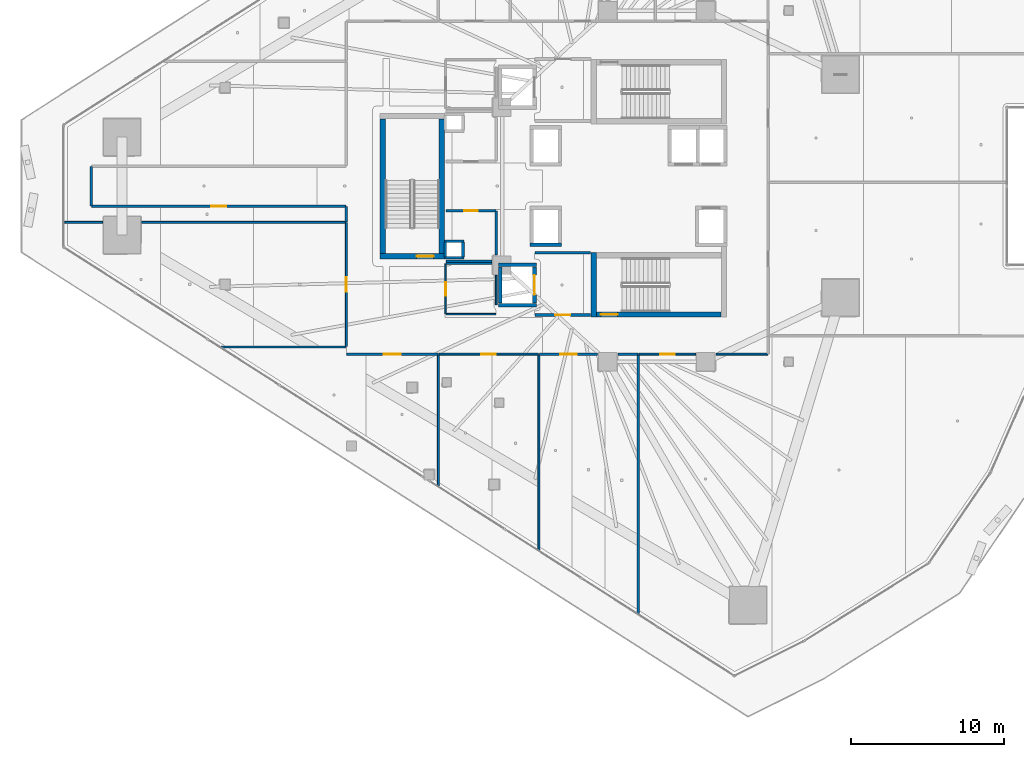
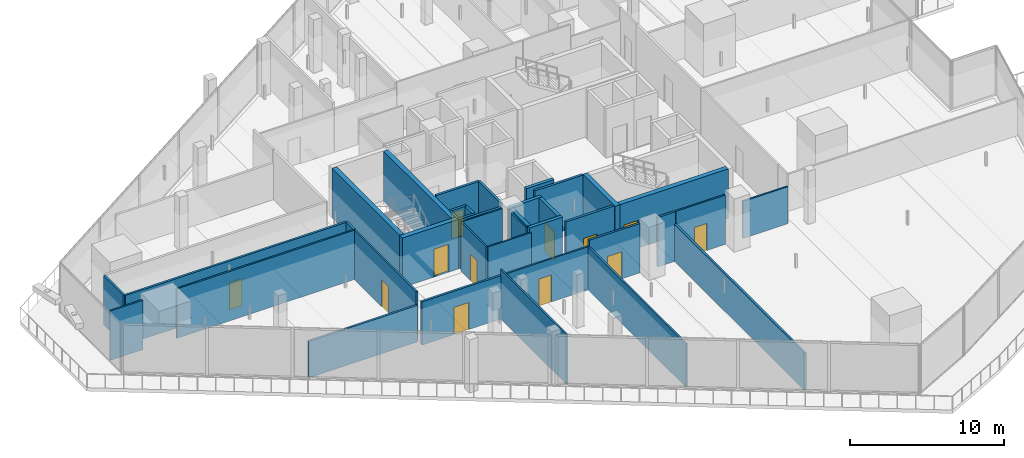
# One storey, part 31 of 47: 39 walls, 12 doors, 12 openings.
"""IFC4 building model written with IfcOpenShell, lengths in metres."""

import ifcopenshell
import ifcopenshell.guid

model = None  # the IFC model being written
_history = None  # IfcOwnerHistory: only IFC2X3 demands one
_inside = {}  # id of a spatial element -> (the spatial element, [elements in it])
_under = {}  # id of a project, library or spatial element -> (it, [spatial elements below it])
_declared = {}  # id of a project -> (the project, [libraries it declares])
_typed = {}  # id of a type object -> (the type object, [elements of that type])
_made_of = {}  # id of a material, layer set ... -> (it, [elements and type objects made of it])


def new_model(schema):
    """Start an empty IFC model of exactly this schema.

    Asked for "IFC4X3", IfcOpenShell would pick the latest addendum, in which some entities
    have other attributes; the version numbers below select the first issue.
    IFC2X3 requires an IfcOwnerHistory on every rooted entity: one is made here for all.
    """
    global model, _history
    if schema == "IFC4X3":
        model = ifcopenshell.file(schema_version=(4, 3, 0, 0))
    else:
        model = ifcopenshell.file(schema=schema)
    _inside.clear()
    _under.clear()
    _declared.clear()
    _typed.clear()
    _made_of.clear()
    _history = None
    if model.schema == "IFC2X3":
        org = make("IfcOrganization", Name="unknown")
        user = make(
            "IfcPersonAndOrganization",
            ThePerson=make("IfcPerson", FamilyName="unknown"),
            TheOrganization=org,
        )
        app = make(
            "IfcApplication",
            ApplicationDeveloper=org,
            Version="unknown",
            ApplicationFullName="unknown",
            ApplicationIdentifier="unknown",
        )
        _history = make(
            "IfcOwnerHistory",
            OwningUser=user,
            OwningApplication=app,
            ChangeAction="ADDED",
            CreationDate=0,
        )
    return model


def make(cls, **values):
    """One entity of the class cls with the attributes given. An attribute that is None is left unset."""
    return model.create_entity(
        cls, **{name: value for name, value in values.items() if value is not None}
    )


def rooted(cls, **values):
    """An entity with a GlobalId (a new one), such as an element, a storey or a relation."""
    return make(cls, GlobalId=ifcopenshell.guid.new(), OwnerHistory=_history, **values)


def si_unit(unit_type, name, prefix=None):
    """IfcSIUnit, for example si_unit("LENGTHUNIT", "METRE", prefix="MILLI")."""
    return make("IfcSIUnit", UnitType=unit_type, Prefix=prefix, Name=name)


def assignment(units):
    """IfcUnitAssignment: the units of a project."""
    return None if units is None else make("IfcUnitAssignment", Units=units)


def point(xyz):
    """IfcCartesianPoint."""
    return None if xyz is None else make("IfcCartesianPoint", Coordinates=xyz)


def direction(xyz):
    """IfcDirection."""
    return None if xyz is None else make("IfcDirection", DirectionRatios=xyz)


def frame(location, z_axis=None, x_axis=None):
    """IfcAxis2Placement3D, a coordinate frame: its origin and axes. An axis left out is left unset."""
    return make(
        "IfcAxis2Placement3D",
        Location=point(location),
        Axis=direction(z_axis),
        RefDirection=direction(x_axis),
    )


def frame_2d(location, x_axis=None):
    """IfcAxis2Placement2D, a coordinate frame in the plane: its origin and x axis."""
    return make(
        "IfcAxis2Placement2D", Location=point(location), RefDirection=direction(x_axis)
    )


def origin():
    """The frame at (0, 0, 0) with its axes left unset."""
    return frame((0.0, 0.0, 0.0))


def place(relative_to, where):
    """IfcLocalPlacement: puts the frame where relative to a parent placement (None: the world)."""
    return make(
        "IfcLocalPlacement", PlacementRelTo=relative_to, RelativePlacement=where
    )


def context(
    kind, dimensions, precision=None, world=None, true_north=None, identifier=None
):
    """IfcGeometricRepresentationContext, for example the 3D "Model" context."""
    return make(
        "IfcGeometricRepresentationContext",
        ContextIdentifier=identifier,
        ContextType=kind,
        CoordinateSpaceDimension=dimensions,
        Precision=precision,
        WorldCoordinateSystem=world,
        TrueNorth=true_north,
    )


def subcontext(parent, identifier, kind, view, scale=None):
    """IfcGeometricRepresentationSubContext, for example "Body" below "Model"."""
    return make(
        "IfcGeometricRepresentationSubContext",
        ContextIdentifier=identifier,
        ContextType=kind,
        ParentContext=parent,
        TargetScale=scale,
        TargetView=view,
    )


def project(units=None, contexts=None):
    """IfcProject with its units and contexts."""
    return rooted(
        "IfcProject",
        Name="project",
        RepresentationContexts=contexts,
        UnitsInContext=assignment(units),
    )


def spatial(cls, under=None, at=None, **own):
    """A site, building, storey or space (cls), placed at a placement, below another one or the project."""
    s = rooted(cls, ObjectPlacement=at, **own)
    if under is not None:
        _under.setdefault(under.id(), (under, []))[1].append(s)
    return s


def profile(cls, at=None, kind="AREA", **sizes):
    """A parametric profile (cls). Its sizes go by their IFC names, for example OverallWidth=200.0."""
    return make(cls, ProfileType=kind, Position=at, **sizes)


def rectangle(**sizes):
    """IfcRectangleProfileDef."""
    return profile("IfcRectangleProfileDef", **sizes)


def extrude(swept, where, along, depth):
    """IfcExtrudedAreaSolid: the profile swept, set in the frame where, extruded along a direction by depth."""
    return make(
        "IfcExtrudedAreaSolid",
        SweptArea=swept,
        Position=where,
        ExtrudedDirection=direction(along),
        Depth=depth,
    )


def shape(context_of_items, identifier, shape_type, items):
    """IfcShapeRepresentation: the items that make up one representation, for example the "Body"."""
    return make(
        "IfcShapeRepresentation",
        ContextOfItems=context_of_items,
        RepresentationIdentifier=identifier,
        RepresentationType=shape_type,
        Items=items,
    )


def material(Name=None, Category=None):
    """IfcMaterial."""
    return make("IfcMaterial", Name=Name, Category=Category)


def layer(
    of_material, thickness, ventilated=None, Name=None, Category=None, Priority=None
):
    """IfcMaterialLayer: one layer of a wall or slab, of a material (None: an air gap)."""
    return make(
        "IfcMaterialLayer",
        Material=of_material,
        LayerThickness=thickness,
        IsVentilated=ventilated,
        Name=Name,
        Category=Category,
        Priority=Priority,
    )


def layer_set(layers, Name=None):
    """IfcMaterialLayerSet."""
    return make("IfcMaterialLayerSet", MaterialLayers=layers, LayerSetName=Name)


def made_of(thing, what):
    """Note that an element or type object is made of a material, layer set ...; save() writes the relation."""
    if what is not None:
        _made_of.setdefault(what.id(), (what, []))[1].append(thing)
    return thing


def type_object(cls, material=None, **own):
    """A type object (cls), such as IfcWallType, which elements share."""
    return made_of(rooted(cls, **own), material)


def element(
    cls,
    number,
    at=None,
    inside=None,
    cuts=None,
    type_object=None,
    material=None,
    context=None,
    identifier="Body",
    shape_type=None,
    held_by="IfcProductDefinitionShape",
    body=None,
    shapes=None,
    **own,
):
    """One element of the class cls, such as IfcWall. Its Tag is "e" and its number.

    at: its placement. inside: the storey or other place that contains it. cuts: it is an
    opening in that element (IfcRelVoidsElement). A single representation is given by context,
    identifier, shape_type and body (its items); several are given by shapes. held_by: the class
    of the entity that holds the representations. save() writes the other relations.
    """
    e = rooted(cls, Tag="e%d" % number, ObjectPlacement=at, **own)
    if body is not None:
        shapes = [shape(context, identifier, shape_type, body)]
    if shapes is not None:
        e.Representation = make(held_by, Representations=shapes)
    if inside is not None:
        _inside.setdefault(inside.id(), (inside, []))[1].append(e)
    if cuts is not None:
        rooted(
            "IfcRelVoidsElement", RelatingBuildingElement=cuts, RelatedOpeningElement=e
        )
    if type_object is not None:
        _typed.setdefault(type_object.id(), (type_object, []))[1].append(e)
    return made_of(e, material)


def fill(opening, filler):
    """IfcRelFillsElement: the door or window that sits in an opening."""
    return rooted(
        "IfcRelFillsElement",
        RelatingOpeningElement=opening,
        RelatedBuildingElement=filler,
    )


def aggregate(whole, parts):
    """IfcRelAggregates: a whole, such as a stair, and the parts it consists of."""
    return rooted("IfcRelAggregates", RelatingObject=whole, RelatedObjects=parts)


def save(model, path):
    """Write the relations noted so far, then the file.

    IfcRelAggregates (storeys below a building ...), IfcRelContainedInSpatialStructure (elements
    in a storey), IfcRelDefinesByType, IfcRelAssociatesMaterial and IfcRelDeclares: one each for
    every whole, place, type object, material and project.
    """
    for whole, parts in _under.values():
        aggregate(whole, parts)
    for where, things in _inside.values():
        rooted(
            "IfcRelContainedInSpatialStructure",
            RelatedElements=things,
            RelatingStructure=where,
        )
    for kind, things in _typed.values():
        rooted("IfcRelDefinesByType", RelatedObjects=things, RelatingType=kind)
    for what, things in _made_of.values():
        rooted("IfcRelAssociatesMaterial", RelatedObjects=things, RelatingMaterial=what)
    for by, libraries in _declared.values():
        rooted("IfcRelDeclares", RelatingContext=by, RelatedDefinitions=libraries)
    model.write(path)


model = new_model("IFC4")

# Units and contexts
model_context = context("Model", 3, precision=1e-05, world=origin(), true_north=direction((0.0, 1.0)))
body_context = subcontext(model_context, "Body", "Model", "MODEL_VIEW")
ifc_project = project(units=[si_unit("LENGTHUNIT", "METRE"), si_unit("AREAUNIT", "SQUARE_METRE"), si_unit("VOLUMEUNIT", "CUBIC_METRE"), si_unit("PLANEANGLEUNIT", "RADIAN"), si_unit("MASSUNIT", "GRAM", prefix="KILO")], contexts=[model_context])

# Site, building, storey
site_placement = place(None, origin())
site = spatial("IfcSite", under=ifc_project, at=site_placement, CompositionType="ELEMENT")
building_placement = place(site_placement, origin())
building = spatial("IfcBuilding", under=site, at=building_placement, Name="Qorvath Tower", CompositionType="ELEMENT")
storey_placement = place(building_placement, frame((0.0, 0.0, 82.800048828125)))
storey = spatial("IfcBuildingStorey", under=building, at=storey_placement, Name="L18", CompositionType="ELEMENT", Elevation=82.800048828125)

# Walls
ifc_material_1 = material(Name="Gypsum shaftliner on steel studs", Category="steel")
ifc_layer_1 = layer(ifc_material_1, 0.179931640625)
ifc_layer_set_1 = layer_set([ifc_layer_1], Name="FW-LOBBY")
wall_type_1 = type_object("IfcWallType", Name="FW-LOBBY", PredefinedType="PARTITIONING", material=ifc_layer_set_1)
for number, where, z_axis, x_axis, name in (
    (1, (-32.989990234375, -4.675048828125, 0.0), (0.0, 0.0, 1.0), (-1.0, 0.0, 0.0), "MEP Riser Shaft Enclosure Wall S-L18-S"),
    (2, (-34.260009765625, -3.594970703125, 0.0), (0.0, 0.0, 1.0), (1.0, 0.0, 0.0), "MEP Riser Shaft Enclosure Wall S-L18-N"),
):
    element("IfcWall", number, at=place(storey_placement, frame(where, z_axis=z_axis, x_axis=x_axis)), inside=storey, type_object=wall_type_1, Name=name, PredefinedType="PARTITIONING", context=body_context, shape_type="SweptSolid", body=[
        extrude(rectangle(XDim=1.27001953125, YDim=0.179931640625, at=frame_2d((0.635009765625, 0.0))), origin(), (0.0, 0.0, 1.0), 3.919921875),
    ])
for number, where, z_axis, x_axis, name in (
    (3, (-34.205078125, -4.610107421875, 0.0), (0.0, 0.0, 1.0), (0.0, 1.0, 0.0), "MEP Riser Shaft Enclosure Wall S-L18-W"),
    (4, (-33.044921875, -3.659912109375, 0.0), (0.0, 0.0, 1.0), (0.0, -1.0, 0.0), "MEP Riser Shaft Enclosure Wall S-L18-E"),
):
    element("IfcWall", number, at=place(storey_placement, frame(where, z_axis=z_axis, x_axis=x_axis)), inside=storey, type_object=wall_type_1, Name=name, PredefinedType="PARTITIONING", context=body_context, shape_type="SweptSolid", body=[
        extrude(rectangle(XDim=0.9501953125, YDim=0.179931640625, at=frame_2d((0.47509765625, 0.0))), origin(), (0.0, 0.0, 1.0), 3.919921875),
    ])

# Wall, opening, door
wall_1_placement = place(storey_placement, frame((-28.35498046875, -8.39990234375, 0.0), z_axis=(0.0, 0.0, 1.0), x_axis=(1.0, 0.0, 0.0)))
wall_1 = element("IfcWall", 5, at=wall_1_placement, inside=storey, type_object=wall_type_1, Name="Interior Partition IW-T1-L18-003", PredefinedType="PARTITIONING", context=body_context, shape_type="SweptSolid", body=[
    extrude(rectangle(XDim=3.6220703125, YDim=0.179931640625, at=frame_2d((1.81103515625, 0.0))), origin(), (0.0, 0.0, 1.0), 3.919921875),
])
opening_1_placement = place(wall_1_placement, frame((1.31103515625, 0.0, 0.0)))
opening_1 = element("IfcOpeningElement", 6, at=opening_1_placement, cuts=wall_1, Name="Opening D-T1-L18-19", PredefinedType="OPENING", context=body_context, shape_type="SweptSolid", body=[
    extrude(rectangle(XDim=1.0, YDim=2.14990234375, at=frame_2d((0.5, 1.074951171875))), frame((0.0, 0.10009765625, 0.0), z_axis=(0.0, -1.0, 0.0), x_axis=(1.0, 0.0, 0.0)), (0.0, 0.0, 1.0), 0.199951171875),
])
ifc_material_2 = material(Name="Painted galvanised hollow metal", Category="steel")
door_type_1 = type_object("IfcDoorType", Name="FD-60", OperationType="NOTDEFINED", PredefinedType="DOOR", material=ifc_material_2)
door_1_placement = place(opening_1_placement, origin())
door_1 = element("IfcDoor", 7, at=door_1_placement, inside=storey, type_object=door_type_1, Name="Lobby Fire Service Elevator South Door D-T1-L18-19", OperationType="SINGLE_SWING_RIGHT", OverallHeight=2.14990234375, OverallWidth=1.0, PredefinedType="DOOR", context=body_context, shape_type="SweptSolid", body=[
    extrude(rectangle(XDim=1.0, YDim=2.14990234375, at=frame_2d((0.5, 1.074951171875))), frame((0.0, 0.02490234375, 0.0), z_axis=(0.0, -1.0, 0.0), x_axis=(1.0, 0.0, 0.0)), (0.0, 0.0, 1.0), 0.050048828125),
])
fill(opening_1, door_1)

# Walls
wall_2_placement = place(storey_placement, frame((-24.73291015625, -4.35009765625, 0.0), z_axis=(0.0, 0.0, 1.0), x_axis=(-1.0, 0.0, 0.0)))
element("IfcWall", 8, at=wall_2_placement, inside=storey, type_object=wall_type_1, Name="Interior Partition IW-T1-L18-004", PredefinedType="PARTITIONING", context=body_context, shape_type="SweptSolid", body=[
    extrude(rectangle(XDim=3.6220703125, YDim=0.179931640625, at=frame_2d((1.81103515625, 0.0))), origin(), (0.0, 0.0, 1.0), 3.919921875),
])
wall_3_placement = place(storey_placement, frame((-34.15478515625, -4.89990234375, 0.0), z_axis=(0.0, 0.0, 1.0), x_axis=(1.0, 0.0, 0.0)))
element("IfcWall", 9, at=wall_3_placement, inside=storey, type_object=wall_type_1, Name="Interior Partition IW-T1-L18-016", PredefinedType="PARTITIONING", context=body_context, shape_type="SweptSolid", body=[
    extrude(rectangle(XDim=2.98974609375, YDim=0.179931640625, at=frame_2d((1.494873046875, 0.0))), origin(), (0.0, 0.0, 1.0), 3.919921875),
])
wall_4_placement = place(storey_placement, frame((-30.8798828125, -4.485107421875, 0.0), z_axis=(0.0, 0.0, 1.0), x_axis=(0.0, 1.0, 0.0)))
element("IfcWall", 10, at=wall_4_placement, inside=storey, type_object=wall_type_1, Name="Interior Partition IW-T1-L18-017", PredefinedType="PARTITIONING", context=body_context, shape_type="SweptSolid", body=[
    extrude(rectangle(XDim=2.860107421875, YDim=0.179931640625, at=frame_2d((1.43017578125, 0.0))), origin(), (0.0, 0.0, 1.0), 3.919921875),
])

# Wall, opening, door
wall_5_placement = place(storey_placement, frame((-30.90478515625, -1.60009765625, 0.0), z_axis=(0.0, 0.0, 1.0), x_axis=(-1.0, 0.0, 0.0)))
wall_5 = element("IfcWall", 11, at=wall_5_placement, inside=storey, type_object=wall_type_1, Name="Interior Partition IW-T1-L18-018", PredefinedType="PARTITIONING", context=body_context, shape_type="SweptSolid", body=[
    extrude(rectangle(XDim=3.25, YDim=0.179931640625, at=frame_2d((1.625, 0.0))), origin(), (0.0, 0.0, 1.0), 3.919921875),
])
opening_2_placement = place(wall_5_placement, frame((1.18505859375, 0.0, 0.0)))
opening_2 = element("IfcOpeningElement", 12, at=opening_2_placement, cuts=wall_5, Name="Opening D-T1-L18-04", PredefinedType="OPENING", context=body_context, shape_type="SweptSolid", body=[
    extrude(rectangle(XDim=0.8798828125, YDim=2.10009765625, at=frame_2d((0.43994140625, 1.050048828125))), frame((0.0, 0.10009765625, 0.0), z_axis=(0.0, -1.0, 0.0), x_axis=(1.0, 0.0, 0.0)), (0.0, 0.0, 1.0), 0.199951171875),
])
ifc_material_3 = material(Name="Painted galvanised hollow metal", Category="steel")
door_type_2 = type_object("IfcDoorType", Name="FD-60N", OperationType="NOTDEFINED", PredefinedType="DOOR", material=ifc_material_3)
door_2_placement = place(opening_2_placement, origin())
door_2 = element("IfcDoor", 13, at=door_2_placement, inside=storey, type_object=door_type_2, Name="Core electrical room L18 Door D-T1-L18-04", OperationType="SINGLE_SWING_LEFT", OverallHeight=2.10009765625, OverallWidth=0.8798828125, PredefinedType="DOOR", context=body_context, shape_type="SweptSolid", body=[
    extrude(rectangle(XDim=0.8798828125, YDim=2.10009765625, at=frame_2d((0.43994140625, 1.050048828125))), frame((0.0, 0.02490234375, 0.0), z_axis=(0.0, -1.0, 0.0), x_axis=(1.0, 0.0, 0.0)), (0.0, 0.0, 1.0), 0.050048828125),
])
fill(opening_2, door_2)

ifc_material_4 = material(Name="Double acoustic gypsum board on steel studs", Category="steel")
ifc_layer_2 = layer(ifc_material_4, 0.159912109375)
ifc_layer_set_2 = layer_set([ifc_layer_2], Name="IW-ACOUSTIC-160")
wall_type_2 = type_object("IfcWallType", Name="IW-ACOUSTIC-160", PredefinedType="PARTITIONING", material=ifc_layer_set_2)
wall_6_placement = place(storey_placement, frame((-24.264892578125, -10.9580078125, 0.0), z_axis=(0.0, 0.0, 1.0), x_axis=(-1.0, 0.0, 0.0)))
wall_6 = element("IfcWall", 14, at=wall_6_placement, inside=storey, type_object=wall_type_2, Name="Interior Partition IW-T1-L18-033", PredefinedType="PARTITIONING", context=body_context, shape_type="SweptSolid", body=[
    extrude(rectangle(XDim=3.803955078125, YDim=0.159912109375, at=frame_2d((1.90185546875, 0.0))), origin(), (0.0, 0.0, 1.0), 3.919921875),
])
opening_3_placement = place(wall_6_placement, frame((1.35205078125, 0.0, 0.0)))
opening_3 = element("IfcOpeningElement", 15, at=opening_3_placement, cuts=wall_6, Name="Opening D-T1-L18-10", PredefinedType="OPENING", context=body_context, shape_type="SweptSolid", body=[
    extrude(rectangle(XDim=1.10009765625, YDim=2.14990234375, at=frame_2d((0.550048828125, 1.074951171875))), frame((0.0, 0.08984375, 0.0), z_axis=(0.0, -1.0, 0.0), x_axis=(1.0, 0.0, 0.0)), (0.0, 0.0, 1.0), 0.179931640625),
])
ifc_material_5 = material(Name="Anodised aluminium acoustic framed glass", Category="aluminium")
door_type_3 = type_object("IfcDoorType", Name="D-03", OperationType="NOTDEFINED", PredefinedType="DOOR", material=ifc_material_5)
door_3_placement = place(opening_3_placement, origin())
door_3 = element("IfcDoor", 16, at=door_3_placement, inside=storey, type_object=door_type_3, Name="L18-06 Digital Visualization Suite Door D-T1-L18-10", OperationType="SINGLE_SWING_LEFT", OverallHeight=2.14990234375, OverallWidth=1.10009765625, PredefinedType="DOOR", context=body_context, shape_type="SweptSolid", body=[
    extrude(rectangle(XDim=1.10009765625, YDim=2.14990234375, at=frame_2d((0.550048828125, 1.074951171875))), frame((0.0, 0.02490234375, 0.0), z_axis=(0.0, -1.0, 0.0), x_axis=(1.0, 0.0, 0.0)), (0.0, 0.0, 1.0), 0.050048828125),
])
fill(opening_3, door_3)

# Walls
wall_7_placement = place(storey_placement, frame((-21.606201171875, -27.8740234375, 0.0), z_axis=(0.0, 0.0, 1.0), x_axis=(0.0, 1.0, 0.0)))
element("IfcWall", 17, at=wall_7_placement, inside=storey, type_object=wall_type_2, Name="Interior Partition IW-T1-L18-034", PredefinedType="PARTITIONING", context=body_context, shape_type="SweptSolid", body=[
    extrude(rectangle(XDim=16.89111328125, YDim=0.159912109375, at=frame_2d((8.445556640625, 0.0))), origin(), (0.0, 0.0, 1.0), 2.956787109375),
])
wall_8_placement = place(storey_placement, frame((-21.631103515625, -10.9580078125, 0.0), z_axis=(0.0, 0.0, 1.0), x_axis=(-1.0, 0.0, 0.0)))
element("IfcWall", 18, at=wall_8_placement, inside=storey, type_object=wall_type_2, Name="Interior Partition IW-T1-L18-035", PredefinedType="PARTITIONING", context=body_context, shape_type="SweptSolid", body=[
    extrude(rectangle(XDim=1.303955078125, YDim=0.159912109375, at=frame_2d((0.65185546875, 0.0))), origin(), (0.0, 0.0, 1.0), 3.919921875),
])

# Wall, opening, door
wall_9_placement = place(storey_placement, frame((-34.68310546875, -10.9580078125, 0.0), z_axis=(0.0, 0.0, 1.0), x_axis=(-1.0, 0.0, 0.0)))
wall_9 = element("IfcWall", 19, at=wall_9_placement, inside=storey, type_object=wall_type_2, Name="Interior Partition IW-T1-L18-045", PredefinedType="PARTITIONING", context=body_context, shape_type="SweptSolid", body=[
    extrude(rectangle(XDim=5.949951171875, YDim=0.159912109375, at=frame_2d((2.97509765625, 0.0))), origin(), (0.0, 0.0, 1.0), 3.432861328125),
])
opening_4_placement = place(wall_9_placement, frame((2.425048828125, 0.0, 0.0)))
opening_4 = element("IfcOpeningElement", 20, at=opening_4_placement, cuts=wall_9, Name="Opening D-T1-L18-20", PredefinedType="OPENING", context=body_context, shape_type="SweptSolid", body=[
    extrude(rectangle(XDim=1.10009765625, YDim=2.14990234375, at=frame_2d((0.550048828125, 1.074951171875))), frame((0.0, 0.08984375, 0.0), z_axis=(0.0, -1.0, 0.0), x_axis=(1.0, 0.0, 0.0)), (0.0, 0.0, 1.0), 0.179931640625),
])
door_4_placement = place(opening_4_placement, origin())
door_4 = element("IfcDoor", 21, at=door_4_placement, inside=storey, type_object=door_type_3, Name="L18-11 Client Services Office Door D-T1-L18-20", OperationType="SINGLE_SWING_LEFT", OverallHeight=2.14990234375, OverallWidth=1.10009765625, PredefinedType="DOOR", context=body_context, shape_type="SweptSolid", body=[
    extrude(rectangle(XDim=1.10009765625, YDim=2.14990234375, at=frame_2d((0.550048828125, 1.074951171875))), frame((0.0, 0.02490234375, 0.0), z_axis=(0.0, -1.0, 0.0), x_axis=(1.0, 0.0, 0.0)), (0.0, 0.0, 1.0), 0.050048828125),
])
fill(opening_4, door_4)

# Walls
wall_10_placement = place(storey_placement, frame((-40.68310546875, -10.493896484375, 0.0), z_axis=(0.0, 0.0, 1.0), x_axis=(-1.0, 0.0, 0.0)))
element("IfcWall", 22, at=wall_10_placement, inside=storey, type_object=wall_type_2, Name="Interior Partition IW-T1-L18-046", PredefinedType="PARTITIONING", context=body_context, shape_type="SweptSolid", body=[
    extrude(rectangle(XDim=8.16162109375, YDim=0.159912109375, at=frame_2d((4.080810546875, 0.0))), origin(), (0.0, 0.0, 1.0), 2.889892578125),
])
wall_11_placement = place(storey_placement, frame((-40.657958984375, -2.32666015625, 0.0), z_axis=(0.0, 0.0, 1.0), x_axis=(0.0, 1.0, 0.0)))
element("IfcWall", 23, at=wall_11_placement, inside=storey, type_object=wall_type_2, Name="Interior Partition IW-T1-L18-050", PredefinedType="PARTITIONING", context=body_context, shape_type="SweptSolid", body=[
    extrude(rectangle(XDim=0.99365234375, YDim=0.159912109375, at=frame_2d((0.496826171875, 0.0))), origin(), (0.0, 0.0, 1.0), 3.919921875),
])

# Wall, opening, door
wall_12_placement = place(storey_placement, frame((-57.277587890625, -1.30810546875, 0.0), z_axis=(0.0, 0.0, 1.0), x_axis=(1.0, 0.0, 0.0)))
wall_12 = element("IfcWall", 24, at=wall_12_placement, inside=storey, type_object=wall_type_2, Name="Interior Partition IW-T1-L18-051", PredefinedType="PARTITIONING", context=body_context, shape_type="SweptSolid", body=[
    extrude(rectangle(XDim=16.594482421875, YDim=0.159912109375, at=frame_2d((8.29736328125, 0.0))), origin(), (0.0, 0.0, 1.0), 3.919921875),
])
opening_5_placement = place(wall_12_placement, frame((7.822265625, 0.0, 0.0)))
opening_5 = element("IfcOpeningElement", 25, at=opening_5_placement, cuts=wall_12, Name="Opening D-T1-L18-16", PredefinedType="OPENING", context=body_context, shape_type="SweptSolid", body=[
    extrude(rectangle(XDim=0.949951171875, YDim=2.14990234375, at=frame_2d((0.47509765625, 1.074951171875))), frame((0.0, 0.08984375, 0.0), z_axis=(0.0, -1.0, 0.0), x_axis=(1.0, 0.0, 0.0)), (0.0, 0.0, 1.0), 0.179931640625),
])
ifc_material_6 = material(Name="Solid-core American white oak veneer", Category="wood")
door_type_4 = type_object("IfcDoorType", Name="D-01", OperationType="NOTDEFINED", PredefinedType="DOOR", material=ifc_material_6)
door_5_placement = place(opening_5_placement, origin())
door_5 = element("IfcDoor", 26, at=door_5_placement, inside=storey, type_object=door_type_4, Name="L18-13 Staff Wellness Studio Door D-T1-L18-16", OperationType="SINGLE_SWING_LEFT", OverallHeight=2.14990234375, OverallWidth=0.949951171875, PredefinedType="DOOR", context=body_context, shape_type="SweptSolid", body=[
    extrude(rectangle(XDim=0.949951171875, YDim=2.14990234375, at=frame_2d((0.47509765625, 1.074951171875))), frame((0.0, 0.02490234375, 0.0), z_axis=(0.0, -1.0, 0.0), x_axis=(1.0, 0.0, 0.0)), (0.0, 0.0, 1.0), 0.050048828125),
])
fill(opening_5, door_5)

# Wall
wall_13_placement = place(storey_placement, frame((-57.302490234375, 1.283203125, 0.0), z_axis=(0.0, 0.0, 1.0), x_axis=(0.0, -1.0, 0.0)))
element("IfcWall", 27, at=wall_13_placement, inside=storey, type_object=wall_type_2, Name="Interior Partition IW-T1-L18-052", PredefinedType="PARTITIONING", context=body_context, shape_type="SweptSolid", body=[
    extrude(rectangle(XDim=2.56640625, YDim=0.159912109375, at=frame_2d((1.283203125, 0.0))), origin(), (0.0, 0.0, 1.0), 3.919921875),
])

# Wall, opening, door
ifc_material_7 = material(Name="Gypsum board on metal studs with mineral wool", Category="gypsum")
ifc_layer_3 = layer(ifc_material_7, 0.125)
ifc_layer_set_3 = layer_set([ifc_layer_3], Name="IW-PART-125")
wall_type_3 = type_object("IfcWallType", Name="IW-PART-125", PredefinedType="PARTITIONING", material=ifc_layer_set_3)
wall_14_placement = place(storey_placement, frame((-28.126708984375, -10.9580078125, 0.0), z_axis=(0.0, 0.0, 1.0), x_axis=(-1.0, 0.0, 0.0)))
wall_14 = element("IfcWall", 28, at=wall_14_placement, inside=storey, type_object=wall_type_3, Name="Interior Partition IW-T1-L18-030", PredefinedType="PARTITIONING", context=body_context, shape_type="SweptSolid", body=[
    extrude(rectangle(XDim=6.498291015625, YDim=0.125, at=frame_2d((3.2490234375, 0.0))), origin(), (0.0, 0.0, 1.0), 3.432861328125),
])
opening_6_placement = place(wall_14_placement, frame((2.774169921875, 0.0, 0.0)))
opening_6 = element("IfcOpeningElement", 29, at=opening_6_placement, cuts=wall_14, Name="Opening D-T1-L18-09", PredefinedType="OPENING", context=body_context, shape_type="SweptSolid", body=[
    extrude(rectangle(XDim=0.949951171875, YDim=2.14990234375, at=frame_2d((0.47509765625, 1.074951171875))), frame((0.0, 0.072509765625, 0.0), z_axis=(0.0, -1.0, 0.0), x_axis=(1.0, 0.0, 0.0)), (0.0, 0.0, 1.0), 0.14501953125),
])
door_6_placement = place(opening_6_placement, origin())
door_6 = element("IfcDoor", 30, at=door_6_placement, inside=storey, type_object=door_type_4, Name="L18-05 Breakout Reading Alcove Door D-T1-L18-09", OperationType="SINGLE_SWING_RIGHT", OverallHeight=2.14990234375, OverallWidth=0.949951171875, PredefinedType="DOOR", context=body_context, shape_type="SweptSolid", body=[
    extrude(rectangle(XDim=0.949951171875, YDim=2.14990234375, at=frame_2d((0.47509765625, 1.074951171875))), frame((0.0, 0.02490234375, 0.0), z_axis=(0.0, -1.0, 0.0), x_axis=(1.0, 0.0, 0.0)), (0.0, 0.0, 1.0), 0.050048828125),
])
fill(opening_6, door_6)

# Walls
wall_15_placement = place(storey_placement, frame((-34.64990234375, -10.98291015625, 0.0), z_axis=(0.0, 0.0, 1.0), x_axis=(0.0, -1.0, 0.0)))
element("IfcWall", 31, at=wall_15_placement, inside=storey, type_object=wall_type_3, Name="Interior Partition IW-T1-L18-031", PredefinedType="PARTITIONING", context=body_context, shape_type="SweptSolid", body=[
    extrude(rectangle(XDim=8.554443359375, YDim=0.125, at=frame_2d((4.27734375, 0.0))), origin(), (0.0, 0.0, 1.0), 3.919921875),
])
wall_16_placement = place(storey_placement, frame((-28.101806640625, -23.722412109375, 0.0), z_axis=(0.0, 0.0, 1.0), x_axis=(0.0, 1.0, 0.0)))
element("IfcWall", 32, at=wall_16_placement, inside=storey, type_object=wall_type_3, Name="Interior Partition IW-T1-L18-032", PredefinedType="PARTITIONING", context=body_context, shape_type="SweptSolid", body=[
    extrude(rectangle(XDim=12.739501953125, YDim=0.125, at=frame_2d((6.36962890625, 0.0))), origin(), (0.0, 0.0, 1.0), 3.432861328125),
])
wall_17_placement = place(storey_placement, frame((-13.1669921875, -10.9580078125, 0.0), z_axis=(0.0, 0.0, 1.0), x_axis=(-1.0, 0.0, 0.0)))
element("IfcWall", 33, at=wall_17_placement, inside=storey, type_object=wall_type_3, Name="Interior Partition IW-T1-L18-038", PredefinedType="PARTITIONING", context=body_context, shape_type="SweptSolid", body=[
    extrude(rectangle(XDim=3.367919921875, YDim=0.125, at=frame_2d((1.68408203125, 0.0))), origin(), (0.0, 0.0, 1.0), 2.956787109375),
])

# Wall, opening, door
wall_18_placement = place(storey_placement, frame((-17.864990234375, -10.9580078125, 0.0), z_axis=(0.0, 0.0, 1.0), x_axis=(-1.0, 0.0, 0.0)))
wall_18 = element("IfcWall", 34, at=wall_18_placement, inside=storey, type_object=wall_type_3, Name="Interior Partition IW-T1-L18-039", PredefinedType="PARTITIONING", context=body_context, shape_type="SweptSolid", body=[
    extrude(rectangle(XDim=3.70849609375, YDim=0.125, at=frame_2d((1.854248046875, 0.0))), origin(), (0.0, 0.0, 1.0), 3.919921875),
])
opening_7_placement = place(wall_18_placement, frame((1.379150390625, 0.0, 0.0)))
opening_7 = element("IfcOpeningElement", 35, at=opening_7_placement, cuts=wall_18, Name="Opening D-T1-L18-11", PredefinedType="OPENING", context=body_context, shape_type="SweptSolid", body=[
    extrude(rectangle(XDim=0.949951171875, YDim=2.14990234375, at=frame_2d((0.47509765625, 1.074951171875))), frame((0.0, 0.072509765625, 0.0), z_axis=(0.0, -1.0, 0.0), x_axis=(1.0, 0.0, 0.0)), (0.0, 0.0, 1.0), 0.14501953125),
])
door_7_placement = place(opening_7_placement, origin())
door_7 = element("IfcDoor", 36, at=door_7_placement, inside=storey, type_object=door_type_4, Name="L18-07 Quantitative Research Studio Door D-T1-L18-11", OperationType="SINGLE_SWING_RIGHT", OverallHeight=2.14990234375, OverallWidth=0.949951171875, PredefinedType="DOOR", context=body_context, shape_type="SweptSolid", body=[
    extrude(rectangle(XDim=0.949951171875, YDim=2.14990234375, at=frame_2d((0.47509765625, 1.074951171875))), frame((0.0, 0.02490234375, 0.0), z_axis=(0.0, -1.0, 0.0), x_axis=(1.0, 0.0, 0.0)), (0.0, 0.0, 1.0), 0.050048828125),
])
fill(opening_7, door_7)

wall_19_placement = place(storey_placement, frame((-40.657958984375, -10.460693359375, 0.0), z_axis=(0.0, 0.0, 1.0), x_axis=(0.0, 1.0, 0.0)))
wall_19 = element("IfcWall", 37, at=wall_19_placement, inside=storey, type_object=wall_type_3, Name="Interior Partition IW-T1-L18-047", PredefinedType="PARTITIONING", context=body_context, shape_type="SweptSolid", body=[
    extrude(rectangle(XDim=8.076171875, YDim=0.125, at=frame_2d((4.0380859375, 0.0))), origin(), (0.0, 0.0, 1.0), 3.919921875),
])
opening_8_placement = place(wall_19_placement, frame((3.56298828125, 0.0, 0.0)))
opening_8 = element("IfcOpeningElement", 38, at=opening_8_placement, cuts=wall_19, Name="Opening D-T1-L18-15", PredefinedType="OPENING", context=body_context, shape_type="SweptSolid", body=[
    extrude(rectangle(XDim=0.949951171875, YDim=2.14990234375, at=frame_2d((0.47509765625, 1.074951171875))), frame((0.0, 0.072509765625, 0.0), z_axis=(0.0, -1.0, 0.0), x_axis=(1.0, 0.0, 0.0)), (0.0, 0.0, 1.0), 0.14501953125),
])
door_8_placement = place(opening_8_placement, origin())
door_8 = element("IfcDoor", 39, at=door_8_placement, inside=storey, type_object=door_type_4, Name="L18-12 Project Collaboration Workspace Door D-T1-L18-15", OperationType="SINGLE_SWING_RIGHT", OverallHeight=2.14990234375, OverallWidth=0.949951171875, PredefinedType="DOOR", context=body_context, shape_type="SweptSolid", body=[
    extrude(rectangle(XDim=0.949951171875, YDim=2.14990234375, at=frame_2d((0.47509765625, 1.074951171875))), frame((0.0, 0.02490234375, 0.0), z_axis=(0.0, -1.0, 0.0), x_axis=(1.0, 0.0, 0.0)), (0.0, 0.0, 1.0), 0.050048828125),
])
fill(opening_8, door_8)

# Walls
wall_20_placement = place(storey_placement, frame((-40.68310546875, -2.359619140625, 0.0), z_axis=(0.0, 0.0, 1.0), x_axis=(-1.0, 0.0, 0.0)))
element("IfcWall", 40, at=wall_20_placement, inside=storey, type_object=wall_type_3, Name="Interior Partition IW-T1-L18-048", PredefinedType="PARTITIONING", context=body_context, shape_type="SweptSolid", body=[
    extrude(rectangle(XDim=13.334716796875, YDim=0.125, at=frame_2d((6.66748046875, 0.0))), origin(), (0.0, 0.0, 1.0), 3.919921875),
])
wall_21_placement = place(storey_placement, frame((-56.5478515625, -2.359619140625, 0.0), z_axis=(0.0, 0.0, 1.0), x_axis=(-1.0, 0.0, 0.0)))
element("IfcWall", 41, at=wall_21_placement, inside=storey, type_object=wall_type_3, Name="Interior Partition IW-T1-L18-049", PredefinedType="PARTITIONING", context=body_context, shape_type="SweptSolid", body=[
    extrude(rectangle(XDim=2.466552734375, YDim=0.125, at=frame_2d((1.2333984375, 0.0))), origin(), (0.0, 0.0, 1.0), 3.919921875),
])
ifc_material_8 = material(Name="Moisture-resistant cement board on metal studs", Category="gypsum")
ifc_layer_4 = layer(ifc_material_8, 0.110107421875)
ifc_layer_set_4 = layer_set([ifc_layer_4], Name="IW-WC-110")
wall_type_4 = type_object("IfcWallType", Name="IW-WC-110", PredefinedType="PARTITIONING", material=ifc_layer_set_4)
wall_22_placement = place(storey_placement, frame((-34.15478515625, -8.35009765625, 0.0), z_axis=(0.0, 0.0, 1.0), x_axis=(1.0, 0.0, 0.0)))
element("IfcWall", 42, at=wall_22_placement, inside=storey, type_object=wall_type_4, Name="Interior Partition IW-T1-L18-009", PredefinedType="PARTITIONING", context=body_context, shape_type="SweptSolid", body=[
    extrude(rectangle(XDim=3.25, YDim=0.110107421875, at=frame_2d((1.625, 0.0))), origin(), (0.0, 0.0, 1.0), 3.919921875),
])
wall_23_placement = place(storey_placement, frame((-30.8798828125, -7.742919921875, 0.0), z_axis=(0.0, 0.0, 1.0), x_axis=(0.0, 1.0, 0.0)))
element("IfcWall", 43, at=wall_23_placement, inside=storey, type_object=wall_type_4, Name="Interior Partition IW-T1-L18-010", PredefinedType="PARTITIONING", context=body_context, shape_type="SweptSolid", body=[
    extrude(rectangle(XDim=1.927978515625, YDim=0.110107421875, at=frame_2d((0.9638671875, 0.0))), origin(), (0.0, 0.0, 1.0), 3.919921875),
])
wall_24_placement = place(storey_placement, frame((-31.1650390625, -5.050048828125, 0.0), z_axis=(0.0, 0.0, 1.0), x_axis=(-1.0, 0.0, 0.0)))
element("IfcWall", 44, at=wall_24_placement, inside=storey, type_object=wall_type_4, Name="Interior Partition IW-T1-L18-011", PredefinedType="PARTITIONING", context=body_context, shape_type="SweptSolid", body=[
    extrude(rectangle(XDim=2.98974609375, YDim=0.110107421875, at=frame_2d((1.494873046875, 0.0))), origin(), (0.0, 0.0, 1.0), 3.919921875),
])

# Wall, opening, door
wall_25_placement = place(storey_placement, frame((-34.179931640625, -5.074951171875, 0.0), z_axis=(0.0, 0.0, 1.0), x_axis=(0.0, -1.0, 0.0)))
wall_25 = element("IfcWall", 45, at=wall_25_placement, inside=storey, type_object=wall_type_4, Name="Interior Partition IW-T1-L18-012", PredefinedType="PARTITIONING", context=body_context, shape_type="SweptSolid", body=[
    extrude(rectangle(XDim=3.250244140625, YDim=0.110107421875, at=frame_2d((1.625, 0.0))), origin(), (0.0, 0.0, 1.0), 3.919921875),
])
opening_9_placement = place(wall_25_placement, frame((1.18505859375, 0.0, 0.0)))
opening_9 = element("IfcOpeningElement", 46, at=opening_9_placement, cuts=wall_25, Name="Opening D-T1-L18-02", PredefinedType="OPENING", context=body_context, shape_type="SweptSolid", body=[
    extrude(rectangle(XDim=0.8798828125, YDim=2.10009765625, at=frame_2d((0.43994140625, 1.050048828125))), frame((0.0, 0.06494140625, 0.0), z_axis=(0.0, -1.0, 0.0), x_axis=(1.0, 0.0, 0.0)), (0.0, 0.0, 1.0), 0.130126953125),
])
ifc_material_9 = material(Name="Solid-core oak with acoustic drop seal", Category="wood")
door_type_5 = type_object("IfcDoorType", Name="D-02", OperationType="NOTDEFINED", PredefinedType="DOOR", material=ifc_material_9)
door_9_placement = place(opening_9_placement, origin())
door_9 = element("IfcDoor", 47, at=door_9_placement, inside=storey, type_object=door_type_5, Name="Accessible WC South L18 Door D-T1-L18-02", OperationType="SINGLE_SWING_LEFT", OverallHeight=2.10009765625, OverallWidth=0.8798828125, PredefinedType="DOOR", context=body_context, shape_type="SweptSolid", body=[
    extrude(rectangle(XDim=0.8798828125, YDim=2.10009765625, at=frame_2d((0.43994140625, 1.050048828125))), frame((0.0, 0.02490234375, 0.0), z_axis=(0.0, -1.0, 0.0), x_axis=(1.0, 0.0, 0.0)), (0.0, 0.0, 1.0), 0.050048828125),
])
fill(opening_9, door_9)

# Walls
ifc_material_10 = material(Name="Concrete C60/75", Category="concrete")
ifc_layer_5 = layer(ifc_material_10, 0.260009765625)
ifc_layer_set_5 = layer_set([ifc_layer_5], Name="SW-SHAFT")
wall_type_5 = type_object("IfcWallType", Name="SW-SHAFT", PredefinedType="SHEAR", material=ifc_layer_set_5)
for number, where, z_axis, x_axis, name in (
    (48, (-28.260009765625, -7.77001953125, 0.0), (0.0, 0.0, 1.0), (-1.0, 0.0, 0.0), "Hoistway Wall FSAE-2 L18 S"),
    (49, (-30.739990234375, -5.1298828125, 0.0), (0.0, 0.0, 1.0), (1.0, 0.0, 0.0), "Hoistway Wall FSAE-2 L18 N"),
):
    element("IfcWall", number, at=place(storey_placement, frame(where, z_axis=z_axis, x_axis=x_axis)), inside=storey, type_object=wall_type_5, Name=name, PredefinedType="SHEAR", context=body_context, shape_type="SweptSolid", body=[
        extrude(rectangle(XDim=2.47998046875, YDim=0.239990234375, at=frame_2d((1.239990234375, 0.0))), origin(), (0.0, 0.0, 1.0), 3.919921875),
    ])
wall_26_placement = place(storey_placement, frame((-30.6201171875, -7.637939453125, 0.0), z_axis=(0.0, 0.0, 1.0), x_axis=(0.0, 1.0, 0.0)))
element("IfcWall", 50, at=wall_26_placement, inside=storey, type_object=wall_type_5, Name="Hoistway Wall FSAE-2 L18 W", PredefinedType="SHEAR", context=body_context, shape_type="SweptSolid", body=[
    extrude(rectangle(XDim=2.3759765625, YDim=0.239990234375, at=frame_2d((1.18798828125, 0.0))), origin(), (0.0, 0.0, 1.0), 3.919921875),
])

# Wall, opening, door
wall_27_placement = place(storey_placement, frame((-28.3798828125, -5.261962890625, 0.0), z_axis=(0.0, 0.0, 1.0), x_axis=(0.0, -1.0, 0.0)))
wall_27 = element("IfcWall", 51, at=wall_27_placement, inside=storey, type_object=wall_type_5, Name="Hoistway Wall FSAE-2 L18 E", PredefinedType="SHEAR", context=body_context, shape_type="SweptSolid", body=[
    extrude(rectangle(XDim=2.3759765625, YDim=0.239990234375, at=frame_2d((1.18798828125, 0.0))), origin(), (0.0, 0.0, 1.0), 3.919921875),
])
opening_10_placement = place(wall_27_placement, frame((0.5380859375, 0.0, 0.0)))
opening_10 = element("IfcOpeningElement", 52, at=opening_10_placement, cuts=wall_27, Name="Opening LD-FSAE-2-L18", PredefinedType="OPENING", context=body_context, shape_type="SweptSolid", body=[
    extrude(rectangle(XDim=1.300048828125, YDim=2.300048828125, at=frame_2d((0.64990234375, 1.14990234375))), frame((0.0, 0.1298828125, 0.0), z_axis=(0.0, -1.0, 0.0), x_axis=(1.0, 0.0, 0.0)), (0.0, 0.0, 1.0), 0.260009765625),
])
ifc_material_11 = material(Name="Brushed stainless steel AISI 316", Category="steel")
door_type_6 = type_object("IfcDoorType", Name="LD-02", OperationType="NOTDEFINED", PredefinedType="DOOR", material=ifc_material_11)
door_10_placement = place(opening_10_placement, origin())
door_10 = element("IfcDoor", 53, at=door_10_placement, inside=storey, type_object=door_type_6, Name="Elevator Landing Sliding Door LD-FSAE-2-L18", OperationType="DOUBLE_DOOR_SLIDING", OverallHeight=2.300048828125, OverallWidth=1.300048828125, PredefinedType="DOOR", context=body_context, shape_type="SweptSolid", body=[
    extrude(rectangle(XDim=1.300048828125, YDim=2.300048828125, at=frame_2d((0.64990234375, 1.14990234375))), frame((0.0, 0.02490234375, 0.0), z_axis=(0.0, -1.0, 0.0), x_axis=(1.0, 0.0, 0.0)), (0.0, 0.0, 1.0), 0.050048828125),
])
fill(opening_10, door_10)

# Walls
wall_28_placement = place(storey_placement, frame((-26.610107421875, -3.820068359375, 0.0), z_axis=(0.0, 0.0, 1.0), x_axis=(-1.0, 0.0, 0.0)))
element("IfcWall", 54, at=wall_28_placement, inside=storey, type_object=wall_type_5, Name="Hoistway Wall PS-2 L18 S", PredefinedType="SHEAR", context=body_context, shape_type="SweptSolid", body=[
    extrude(rectangle(XDim=2.079833984375, YDim=0.239990234375, at=frame_2d((1.0400390625, 0.0))), origin(), (0.0, 0.0, 1.0), 3.919921875),
])
ifc_material_12 = material(Name="Concrete C60/75", Category="concrete")
ifc_layer_6 = layer(ifc_material_12, 0.35009765625)
ifc_layer_set_6 = layer_set([ifc_layer_6], Name="SW-STAIR")
wall_type_6 = type_object("IfcWallType", Name="SW-STAIR", PredefinedType="SHEAR", material=ifc_layer_set_6)
wall_29_placement = place(storey_placement, frame((-24.52490234375, -4.340087890625, 0.0), z_axis=(0.0, 0.0, 1.0), x_axis=(0.0, -1.0, 0.0)))
element("IfcWall", 55, at=wall_29_placement, inside=storey, type_object=wall_type_6, Name="Stair TS2 Shear Wall L18 NEAR", PredefinedType="SHEAR", context=body_context, shape_type="SweptSolid", body=[
    extrude(rectangle(XDim=4.2099609375, YDim=0.35009765625, at=frame_2d((2.10498046875, 0.0))), origin(), (0.0, 0.0, 1.0), 3.919921875),
])

# Wall, opening, door
wall_30_placement = place(storey_placement, frame((-24.3349609375, -8.375, 0.0), z_axis=(0.0, 0.0, 1.0), x_axis=(1.0, 0.0, 0.0)))
wall_30 = element("IfcWall", 56, at=wall_30_placement, inside=storey, type_object=wall_type_6, Name="Stair TS2 Shear Wall L18 LEFT", PredefinedType="SHEAR", context=body_context, shape_type="SweptSolid", body=[
    extrude(rectangle(XDim=8.119873046875, YDim=0.35009765625, at=frame_2d((4.06005859375, 0.0))), origin(), (0.0, 0.0, 1.0), 3.919921875),
])
opening_11_placement = place(wall_30_placement, frame((0.280029296875, 0.0, 0.0)))
opening_11 = element("IfcOpeningElement", 57, at=opening_11_placement, cuts=wall_30, Name="Opening D-TS2-L18", PredefinedType="OPENING", context=body_context, shape_type="SweptSolid", body=[
    extrude(rectangle(XDim=1.10009765625, YDim=2.199951171875, at=frame_2d((0.550048828125, 1.10009765625))), frame((0.0, 0.18505859375, 0.0), z_axis=(0.0, -1.0, 0.0), x_axis=(1.0, 0.0, 0.0)), (0.0, 0.0, 1.0), 0.3701171875),
])
ifc_material_13 = material(Name="Painted galvanised hollow metal", Category="steel")
door_type_7 = type_object("IfcDoorType", Name="FD-90", OperationType="NOTDEFINED", PredefinedType="DOOR", material=ifc_material_13)
door_11_placement = place(opening_11_placement, origin())
door_11 = element("IfcDoor", 58, at=door_11_placement, inside=storey, type_object=door_type_7, Name="Stair TS2 Fire Door L18", OperationType="SINGLE_SWING_LEFT", OverallHeight=2.199951171875, OverallWidth=1.10009765625, PredefinedType="DOOR", context=body_context, shape_type="SweptSolid", body=[
    extrude(rectangle(XDim=1.10009765625, YDim=2.199951171875, at=frame_2d((0.550048828125, 1.10009765625))), frame((0.0, 0.02490234375, 0.0), z_axis=(0.0, -1.0, 0.0), x_axis=(1.0, 0.0, 0.0)), (0.0, 0.0, 1.0), 0.050048828125),
])
fill(opening_11, door_11)

wall_31_placement = place(storey_placement, frame((-38.4599609375, -4.574951171875, 0.0), z_axis=(0.0, 0.0, 1.0), x_axis=(1.0, 0.0, 0.0)))
wall_31 = element("IfcWall", 59, at=wall_31_placement, inside=storey, type_object=wall_type_6, Name="Stair TS3 Shear Wall L18 NEAR", PredefinedType="SHEAR", context=body_context, shape_type="SweptSolid", body=[
    extrude(rectangle(XDim=4.2099609375, YDim=0.35009765625, at=frame_2d((2.10498046875, 0.0))), origin(), (0.0, 0.0, 1.0), 3.919921875),
])
opening_12_placement = place(wall_31_placement, frame((2.389892578125, 0.0, 0.0)))
opening_12 = element("IfcOpeningElement", 60, at=opening_12_placement, cuts=wall_31, Name="Opening D-TS3-L18", PredefinedType="OPENING", context=body_context, shape_type="SweptSolid", body=[
    extrude(rectangle(XDim=1.10009765625, YDim=2.199951171875, at=frame_2d((0.550048828125, 1.10009765625))), frame((0.0, 0.18505859375, 0.0), z_axis=(0.0, -1.0, 0.0), x_axis=(1.0, 0.0, 0.0)), (0.0, 0.0, 1.0), 0.3701171875),
])
door_12_placement = place(opening_12_placement, origin())
door_12 = element("IfcDoor", 61, at=door_12_placement, inside=storey, type_object=door_type_7, Name="Stair TS3 Fire Door L18", OperationType="SINGLE_SWING_LEFT", OverallHeight=2.199951171875, OverallWidth=1.10009765625, PredefinedType="DOOR", context=body_context, shape_type="SweptSolid", body=[
    extrude(rectangle(XDim=1.10009765625, YDim=2.199951171875, at=frame_2d((0.550048828125, 1.10009765625))), frame((0.0, 0.02490234375, 0.0), z_axis=(0.0, -1.0, 0.0), x_axis=(1.0, 0.0, 0.0)), (0.0, 0.0, 1.0), 0.050048828125),
])
fill(opening_12, door_12)

# Walls
for number, where, z_axis, x_axis, name in (
    (62, (-34.425048828125, -4.385009765625, 0.0), (0.0, 0.0, 1.0), (0.0, 1.0, 0.0), "Stair TS3 Shear Wall L18 LEFT"),
    (63, (-38.284912109375, 4.385009765625, 0.0), (0.0, 0.0, 1.0), (0.0, -1.0, 0.0), "Stair TS3 Shear Wall L18 RIGHT"),
):
    element("IfcWall", number, at=place(storey_placement, frame(where, z_axis=z_axis, x_axis=x_axis)), inside=storey, type_object=wall_type_6, Name=name, PredefinedType="SHEAR", context=body_context, shape_type="SweptSolid", body=[
        extrude(rectangle(XDim=8.77001953125, YDim=0.35009765625, at=frame_2d((4.385009765625, 0.0))), origin(), (0.0, 0.0, 1.0), 3.919921875),
    ])

save(model, "model.ifc")
